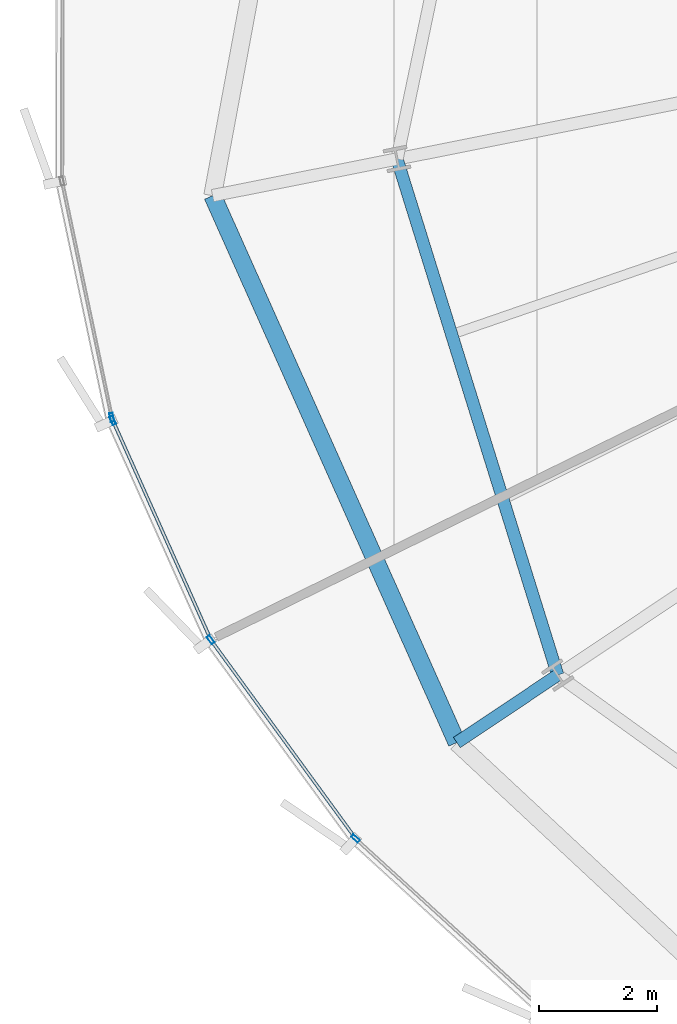
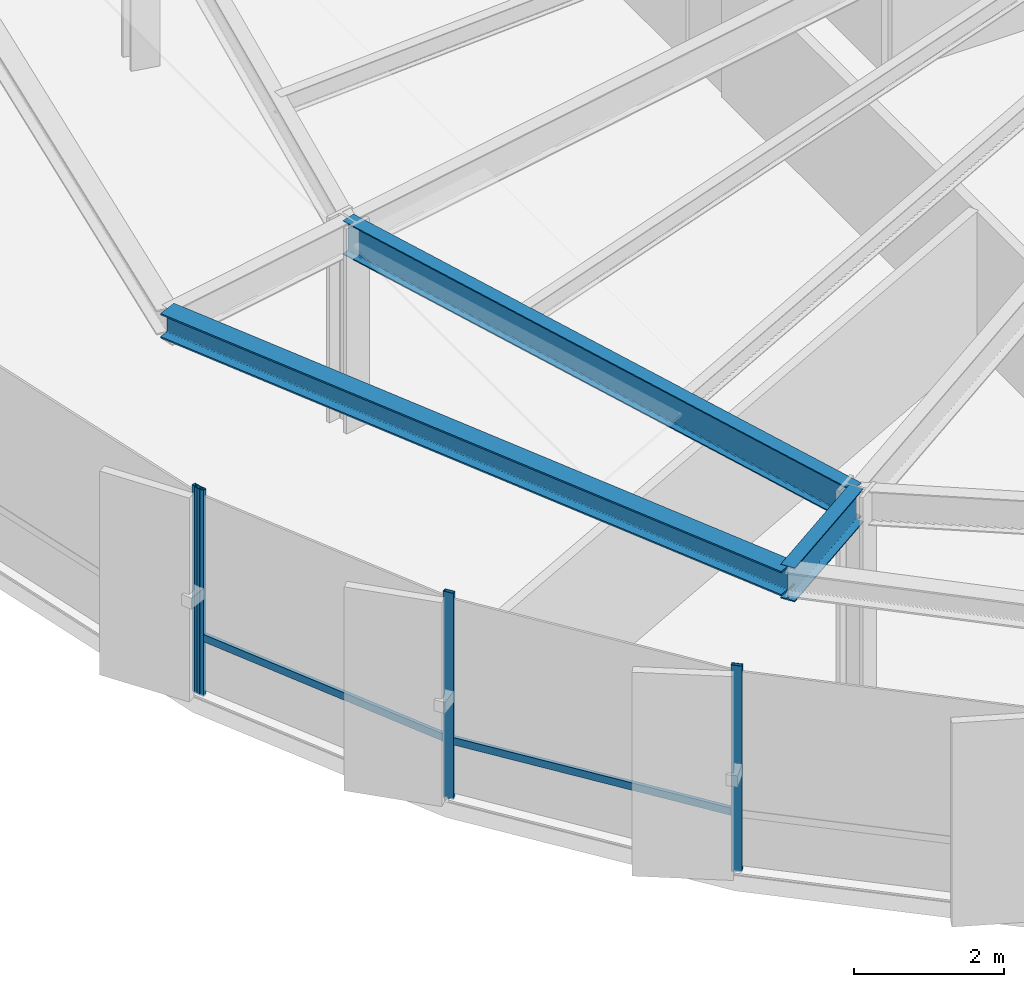
# One storey, part 3 of 35: 6 members, 3 beams, 2 elements without a shape of their own.
"""IFC4 building model written with IfcOpenShell, lengths in metres."""

from ifc_helpers import new_model, si_unit, direction, frame, origin, origin_2d, place, context, subcontext, project, spatial, hollow_rectangle, i_section, extrude, source, transform, mapped, material, layer, layer_set, material_profile, profile_set, type_object, element, aggregate, save


model = new_model("IFC4")

# Units and contexts
model_context = context("Model", 3, precision=1e-05, world=origin(), true_north=direction((0.0, 1.0)))
body_context = subcontext(model_context, "Body", "Model", "MODEL_VIEW")
ifc_project = project(units=[si_unit("LENGTHUNIT", "METRE"), si_unit("AREAUNIT", "SQUARE_METRE"), si_unit("VOLUMEUNIT", "CUBIC_METRE"), si_unit("PLANEANGLEUNIT", "RADIAN"), si_unit("MASSUNIT", "GRAM", prefix="KILO"), si_unit("THERMODYNAMICTEMPERATUREUNIT", "KELVIN")], contexts=[model_context])

# Site, building, storey
site_placement = place(None, origin())
site = spatial("IfcSite", under=ifc_project, at=site_placement, CompositionType="ELEMENT")
building_placement = place(site_placement, origin())
building = spatial("IfcBuilding", under=site, at=building_placement, Name="Kethvar Cultural Tower", CompositionType="ELEMENT")
storey_placement = place(building_placement, frame((0.0, 0.0, 107.199951171875)))
storey = spatial("IfcBuildingStorey", under=building, at=storey_placement, Name="L26", CompositionType="ELEMENT", Elevation=107.199951171875)

# Beams
ifc_material_1 = material(Name="Steel S355J2", Category="steel")
ifc_material_profile_1 = material_profile(ifc_material_1, i_section(OverallWidth=0.2099609375, OverallDepth=0.550048828125, WebThickness=0.010986328125, FlangeThickness=0.01708984375, FilletRadius=0.02392578125, at=origin_2d()), Name="Steel S355J2 — IPE550")
ifc_profile_set_1 = profile_set([ifc_material_profile_1], Name="Steel S355J2 — IPE550")
beam_type_1 = type_object("IfcBeamType", Name="BM-IPE550", PredefinedType="BEAM", material=ifc_profile_set_1)
shared_shape_1 = source(origin(), body_context, "Body", "SweptSolid", [
    extrude(i_section(OverallWidth=0.2099609375, OverallDepth=0.550048828125, WebThickness=0.010986328125, FlangeThickness=0.01708984375, FilletRadius=0.02392578125, at=origin_2d()), origin(), (0.0, 0.0, 1.0), 9.20068359375),
])
beam_1_placement = place(storey_placement, frame((24.185302734375, 23.3017578125, 3.072998046875), z_axis=(0.297298800285, -0.954784490526, 0.0), x_axis=(0.954784490526, 0.297298800285, 0.0)))
element("IfcBeam", 1, at=beam_1_placement, inside=storey, type_object=beam_type_1, Name="L26 Column Ring Tie Beam CR-09", PredefinedType="BEAM", context=body_context, shape_type="MappedRepresentation", body=[
    mapped(shared_shape_1, transform((0.0, 0.0, 0.0), scale=1.0)),
])
shared_shape_2 = source(origin(), body_context, "Body", "SweptSolid", [
    extrude(i_section(OverallWidth=0.2099609375, OverallDepth=0.550048828125, WebThickness=0.010986328125, FlangeThickness=0.01708984375, FilletRadius=0.02392578125, at=origin_2d()), origin(), (0.0, 0.0, 1.0), 2.064697265625),
])
beam_2_placement = place(storey_placement, frame((26.920654296875, 14.51708984375, 3.072998046875), z_axis=(-0.831504141996, -0.555518552204, 0.0), x_axis=(0.555518552204, -0.831504141996, 0.0)))
element("IfcBeam", 2, at=beam_2_placement, inside=storey, type_object=beam_type_1, Name="L26 Perimeter Cantilever Beam RC-10", PredefinedType="BEAM", context=body_context, shape_type="MappedRepresentation", body=[
    mapped(shared_shape_2, transform((0.0, 0.0, 0.0), scale=1.0)),
])
ifc_material_profile_2 = material_profile(ifc_material_1, i_section(OverallWidth=0.300048828125, OverallDepth=0.39990234375, WebThickness=0.013427734375, FlangeThickness=0.02392578125, FilletRadius=0.027099609375, at=origin_2d()), Name="Steel S355J2 — HEB400")
ifc_profile_set_2 = profile_set([ifc_material_profile_2], Name="Steel S355J2 — HEB400")
beam_type_2 = type_object("IfcBeamType", Name="BM-SP400", PredefinedType="SPANDREL", material=ifc_profile_set_2)
shared_shape_3 = source(origin(), body_context, "Body", "SweptSolid", [
    extrude(i_section(OverallWidth=0.300048828125, OverallDepth=0.39990234375, WebThickness=0.013427734375, FlangeThickness=0.02392578125, FilletRadius=0.027099609375, at=origin_2d()), origin(), (0.0, 0.0, 1.0), 10.193603515625),
])
beam_3_placement = place(storey_placement, frame((21.046875, 22.677490234375, 3.14794921875), z_axis=(0.407806675652, -0.913068297168, 0.0), x_axis=(0.913068297168, 0.407806675652, 0.0)))
element("IfcBeam", 3, at=beam_3_placement, inside=storey, type_object=beam_type_2, Name="L26 Perimeter Spandrel Beam SP-09", PredefinedType="SPANDREL", context=body_context, shape_type="MappedRepresentation", body=[
    mapped(shared_shape_3, transform((0.0, 0.0, 0.0), scale=1.0)),
])

# Curtain wall, member
ifc_material_2 = material(Name="Aluminium 6063-T6", Category="aluminium")
ifc_layer = layer(ifc_material_2, 0.179931640625, Name="Aluminium 6063-T6", Category="aluminium")
ifc_layer_set = layer_set([ifc_layer], Name="Aluminium 6063-T6 (180 mm)")
curtain_wall_type = type_object("IfcCurtainWallType", Name="CW-SYS-03-Z2", PredefinedType="NOTDEFINED", material=ifc_layer_set)
curtain_wall_1_placement = place(storey_placement, origin())
curtain_wall_1 = element("IfcCurtainWall", 4, at=curtain_wall_1_placement, inside=storey, type_object=curtain_wall_type, Name="L26 Curtain Wall Run 03", PredefinedType="NOTDEFINED")
ifc_material_profile_3 = material_profile(ifc_material_2, hollow_rectangle(XDim=0.06005859375, YDim=0.14990234375, WallThickness=0.0048828125, at=origin_2d()), Name="Aluminium 6063-T6 — RHS150x60x5")
ifc_profile_set_3 = profile_set([ifc_material_profile_3], Name="Aluminium 6063-T6 — RHS150x60x5")
member_type_1 = type_object("IfcMemberType", Name="CW-SYS-03-Z2-MUL", PredefinedType="MULLION", material=ifc_profile_set_3)
shared_shape_4 = source(origin(), body_context, "Body", "SweptSolid", [
    extrude(hollow_rectangle(XDim=0.06005859375, YDim=0.14990234375, WallThickness=0.0048828125, at=origin_2d()), origin(), (0.0, 0.0, 1.0), 3.35009765625),
])
member_1_placement = place(storey_placement, frame((19.331298828125, 18.90283203125, 0.0), z_axis=(0.0, 0.0, 1.0), x_axis=(0.978480184028, 0.206340809015, 0.0)))
member_1 = element("IfcMember", 5, at=member_1_placement, type_object=member_type_1, Name="CW-L26-R03 Mullion 7", PredefinedType="MULLION", context=body_context, shape_type="MappedRepresentation", body=[
    mapped(shared_shape_4, transform((0.0, 0.0, 0.0), scale=1.0)),
])
aggregate(curtain_wall_1, [member_1])

# Curtain wall, members
curtain_wall_2_placement = place(storey_placement, origin())
curtain_wall_2 = element("IfcCurtainWall", 6, at=curtain_wall_2_placement, inside=storey, type_object=curtain_wall_type, Name="L26 Curtain Wall Run 04", PredefinedType="NOTDEFINED")
member_2_placement = place(storey_placement, frame((19.347900390625, 18.852294921875, 0.0), z_axis=(0.0, 0.0, 1.0), x_axis=(0.912891182023, 0.408203000706, 0.0)))
member_2 = element("IfcMember", 7, at=member_2_placement, type_object=member_type_1, Name="CW-L26-R04 Mullion 1", PredefinedType="MULLION", context=body_context, shape_type="MappedRepresentation", body=[
    mapped(shared_shape_4, transform((0.0, 0.0, 0.0), scale=1.0)),
])
member_3_placement = place(storey_placement, frame((21.01416015625, 15.119873046875, 0.0), z_axis=(0.0, 0.0, 1.0), x_axis=(0.808000167191, 0.58918225518, 0.0)))
member_3 = element("IfcMember", 8, at=member_3_placement, type_object=member_type_1, Name="CW-L26-R04 Mullion 2", PredefinedType="MULLION", context=body_context, shape_type="MappedRepresentation", body=[
    mapped(shared_shape_4, transform((0.0, 0.0, 0.0), scale=1.0)),
])
member_4_placement = place(storey_placement, frame((23.479248046875, 11.7353515625, 0.0), z_axis=(0.0, 0.0, 1.0), x_axis=(0.673876956021, 0.738843588416, 0.0)))
member_4 = element("IfcMember", 9, at=member_4_placement, type_object=member_type_1, Name="CW-L26-R04 Mullion 3", PredefinedType="MULLION", context=body_context, shape_type="MappedRepresentation", body=[
    mapped(shared_shape_4, transform((0.0, 0.0, 0.0), scale=1.0)),
])
ifc_material_profile_4 = material_profile(ifc_material_2, hollow_rectangle(XDim=0.054931640625, YDim=0.1201171875, WallThickness=0.00390625, at=origin_2d()), Name="Aluminium 6063-T6 — RHS120x55x4")
ifc_profile_set_4 = profile_set([ifc_material_profile_4], Name="Aluminium 6063-T6 — RHS120x55x4")
member_type_2 = type_object("IfcMemberType", Name="CW-SYS-03-Z2-TRN", PredefinedType="USERDEFINED", material=ifc_profile_set_4)
shared_shape_5 = source(origin(), body_context, "Body", "SweptSolid", [
    extrude(hollow_rectangle(XDim=0.054931640625, YDim=0.1201171875, WallThickness=0.00390625, at=origin_2d()), origin(), (0.0, 0.0, 1.0), 4.06396484375),
])
member_5_placement = place(storey_placement, frame((19.349609375, 18.848388671875, 0.949951171875), z_axis=(0.408205346989, -0.912890132869, 0.0), x_axis=(0.912890132869, 0.408205346989, 0.0)))
member_5 = element("IfcMember", 10, at=member_5_placement, type_object=member_type_2, Name="CW-L26-R04 Transom 1", ObjectType="TRANSOM", PredefinedType="USERDEFINED", context=body_context, shape_type="MappedRepresentation", body=[
    mapped(shared_shape_5, transform((0.0, 0.0, 0.0), scale=1.0)),
])
shared_shape_6 = source(origin(), body_context, "Body", "SweptSolid", [
    extrude(hollow_rectangle(XDim=0.054931640625, YDim=0.1201171875, WallThickness=0.00390625, at=origin_2d()), origin(), (0.0, 0.0, 1.0), 4.123779296875),
])
member_6_placement = place(storey_placement, frame((21.03955078125, 15.0849609375, 0.949951171875), z_axis=(0.58918504138, -0.807998135526, 0.0), x_axis=(0.807998135526, 0.58918504138, 0.0)))
member_6 = element("IfcMember", 11, at=member_6_placement, type_object=member_type_2, Name="CW-L26-R04 Transom 2", ObjectType="TRANSOM", PredefinedType="USERDEFINED", context=body_context, shape_type="MappedRepresentation", body=[
    mapped(shared_shape_6, transform((0.0, 0.0, 0.0), scale=1.0)),
])
aggregate(curtain_wall_2, [member_2, member_3, member_4, member_5, member_6])

save(model, "model.ifc")
